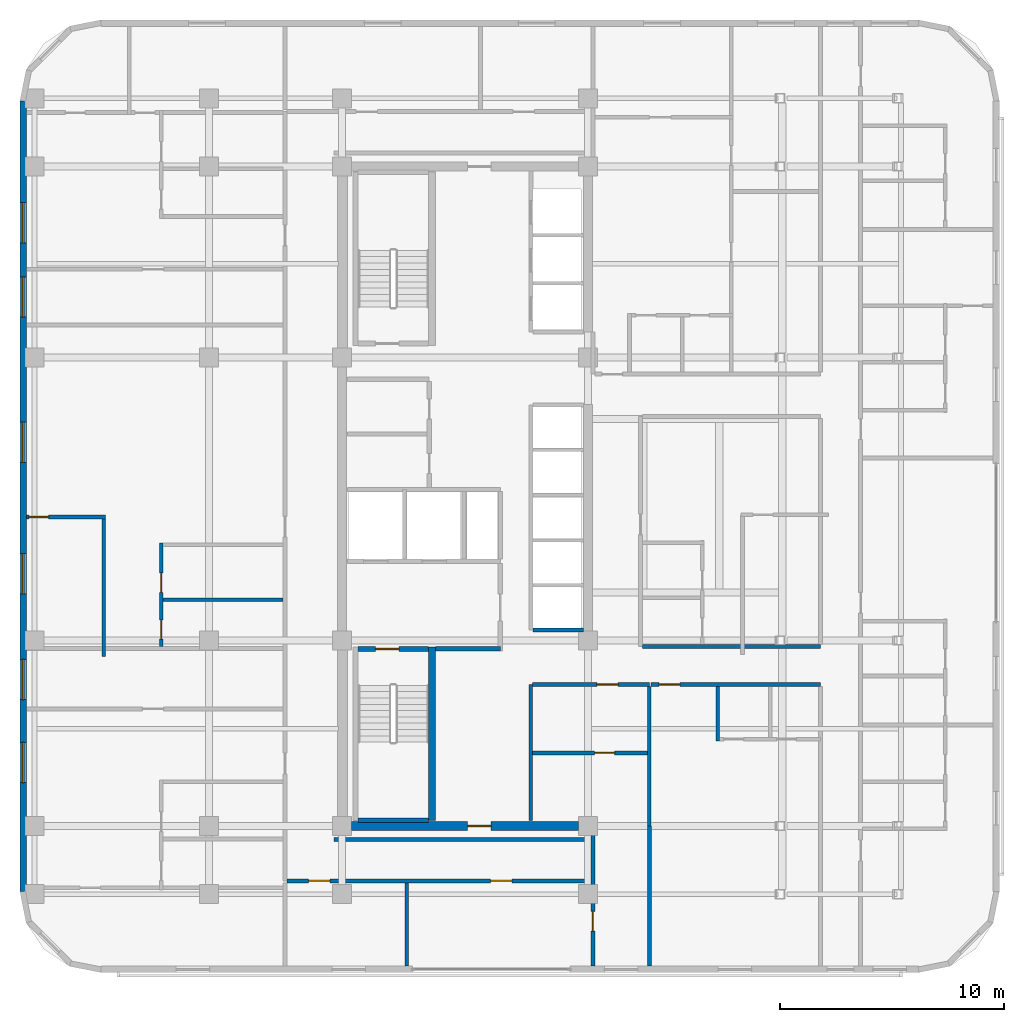
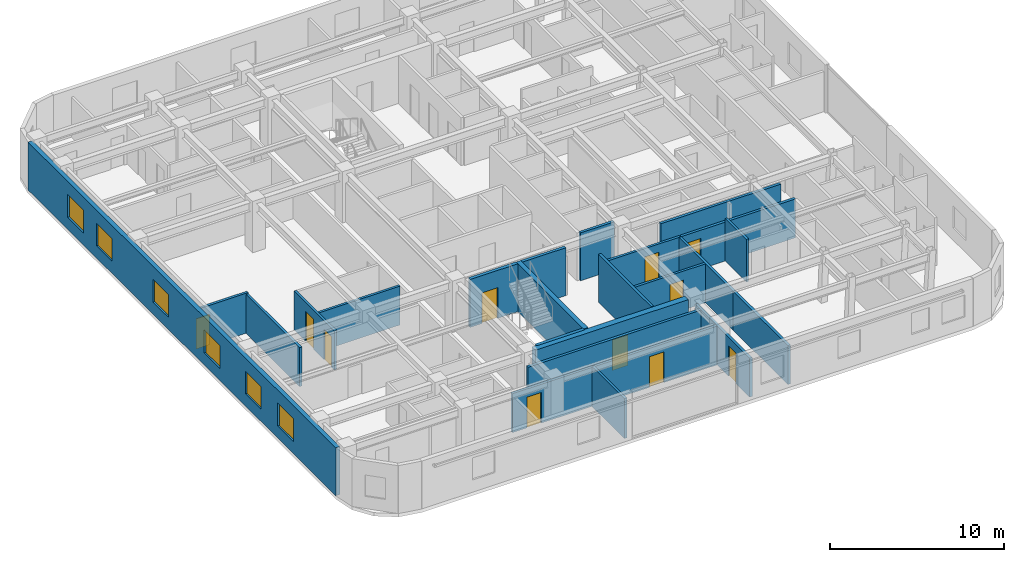
# One storey, part 6 of 14: 23 walls, 11 doors, 6 windows, 17 openings.
"""IFC4 building model written with IfcOpenShell, lengths in metres."""

from ifc_helpers import new_model, si_unit, direction, frame, frame_2d, origin, place, context, subcontext, project, spatial, rectangle, extrude, material, layer, layer_set, type_object, element, fill, save


model = new_model("IFC4")

# Units and contexts
model_context = context("Model", 3, precision=1e-05, world=origin(), true_north=direction((0.0, 1.0)))
body_context = subcontext(model_context, "Body", "Model", "MODEL_VIEW")
ifc_project = project(units=[si_unit("LENGTHUNIT", "METRE"), si_unit("AREAUNIT", "SQUARE_METRE"), si_unit("VOLUMEUNIT", "CUBIC_METRE"), si_unit("PLANEANGLEUNIT", "RADIAN"), si_unit("MASSUNIT", "GRAM", prefix="KILO")], contexts=[model_context])

# Site, building, storey
site_placement = place(None, origin())
site = spatial("IfcSite", under=ifc_project, at=site_placement, CompositionType="ELEMENT")
building_placement = place(site_placement, origin())
building = spatial("IfcBuilding", under=site, at=building_placement, Name="Ochreholt Gables", CompositionType="ELEMENT")
storey_placement = place(building_placement, frame((0.0, 0.0, 109.800048828125)))
storey = spatial("IfcBuildingStorey", under=building, at=storey_placement, Name="L28", CompositionType="ELEMENT", Elevation=109.800048828125)

# Wall, opening, door
ifc_material_1 = material(Name="Concrete 60 MPa", Category="concrete")
ifc_layer_1 = layer(ifc_material_1, 0.39990234375, Name="Concrete 60 MPa")
ifc_layer_set_1 = layer_set([ifc_layer_1], Name="Concrete 60 MPa")
wall_type_1 = type_object("IfcWallType", Name="WALL-CSW-400", PredefinedType="SHEAR", material=ifc_layer_set_1)
wall_1_placement = place(storey_placement, frame((24.625, 9.25, 0.0), z_axis=(0.0, 0.0, 1.0), x_axis=(1.0, 0.0, 0.0)))
wall_1 = element("IfcWall", 1, at=wall_1_placement, inside=storey, type_object=wall_type_1, Name="L28 Core South Shear Wall", PredefinedType="SHEAR", context=body_context, shape_type="SweptSolid", body=[
    extrude(rectangle(XDim=10.14990234375, YDim=0.39990234375, at=frame_2d((5.074951171875, 0.0))), origin(), (0.0, 0.0, 1.0), 3.35986328125),
])
opening_1_placement = place(wall_1_placement, frame((5.199951171875, 0.0, 0.0)))
opening_1 = element("IfcOpeningElement", 2, at=opening_1_placement, cuts=wall_1, Name="Opening D-FLB", PredefinedType="OPENING", context=body_context, shape_type="SweptSolid", body=[
    extrude(rectangle(XDim=1.050048828125, YDim=2.14990234375, at=frame_2d((0.52490234375, 1.074951171875))), frame((0.0, 0.2099609375, 0.0), z_axis=(0.0, -1.0, 0.0), x_axis=(1.0, 0.0, 0.0)), (0.0, 0.0, 1.0), 0.419921875),
])
ifc_material_2 = material(Name="Hollow Metal Steel", Category="steel")
door_type_1 = type_object("IfcDoorType", Name="DR-INT-FLB1050", OperationType="NOTDEFINED", PredefinedType="DOOR", material=ifc_material_2)
door_1_placement = place(opening_1_placement, origin())
door_1 = element("IfcDoor", 3, at=door_1_placement, inside=storey, type_object=door_type_1, Name="L28 Door D-C2CRS-L28", OperationType="SINGLE_SWING_LEFT", OverallHeight=2.14990234375, OverallWidth=1.050048828125, PredefinedType="DOOR", context=body_context, shape_type="SweptSolid", body=[
    extrude(rectangle(XDim=1.050048828125, YDim=2.14990234375, at=frame_2d((0.52490234375, 1.074951171875))), frame((0.0, 0.02490234375, 0.0), z_axis=(0.0, -1.0, 0.0), x_axis=(1.0, 0.0, 0.0)), (0.0, 0.0, 1.0), 0.050048828125),
])
fill(opening_1, door_1)

# Wall, openings, windows
ifc_material_3 = material(Name="Precast concrete 40 MPa", Category="concrete")
ifc_layer_2 = layer(ifc_material_3, 0.280029296875, Name="Precast concrete 40 MPa")
ifc_layer_set_2 = layer_set([ifc_layer_2], Name="Precast concrete 40 MPa")
wall_type_2 = type_object("IfcWallType", Name="WALL-EXT-280", PredefinedType="SOLIDWALL", material=ifc_layer_set_2)
wall_2_placement = place(storey_placement, frame((9.93994140625, 41.679931640625, 0.0), z_axis=(0.0, 0.0, 1.0), x_axis=(0.0, -1.0, 0.0)))
wall_2 = element("IfcWall", 4, at=wall_2_placement, inside=storey, type_object=wall_type_2, Name="L28 West Exterior Wall", PredefinedType="SOLIDWALL", context=body_context, shape_type="SweptSolid", body=[
    extrude(rectangle(XDim=35.35986328125, YDim=0.280029296875, at=frame_2d((17.679931640625, 0.0))), origin(), (0.0, 0.0, 1.0), 3.35986328125),
])
opening_2_placement = place(wall_2_placement, frame((28.691162109375, 0.0, 0.85009765625)))
opening_2 = element("IfcOpeningElement", 5, at=opening_2_placement, cuts=wall_2, Name="Opening WN-1", PredefinedType="OPENING", context=body_context, shape_type="SweptSolid", body=[
    extrude(rectangle(XDim=1.800048828125, YDim=1.60009765625, at=frame_2d((0.89990234375, 0.800048828125))), frame((0.0, 0.14990234375, 0.0), z_axis=(0.0, -1.0, 0.0), x_axis=(1.0, 0.0, 0.0)), (0.0, 0.0, 1.0), 0.300048828125),
])
opening_3_placement = place(wall_2_placement, frame((24.981201171875, 0.0, 0.85009765625)))
opening_3 = element("IfcOpeningElement", 6, at=opening_3_placement, cuts=wall_2, Name="Opening WN-1", PredefinedType="OPENING", context=body_context, shape_type="SweptSolid", body=[
    extrude(rectangle(XDim=1.800048828125, YDim=1.60009765625, at=frame_2d((0.89990234375, 0.800048828125))), frame((0.0, 0.14990234375, 0.0), z_axis=(0.0, -1.0, 0.0), x_axis=(1.0, 0.0, 0.0)), (0.0, 0.0, 1.0), 0.300048828125),
])
opening_4_placement = place(wall_2_placement, frame((20.248046875, 0.0, 0.85009765625)))
opening_4 = element("IfcOpeningElement", 7, at=opening_4_placement, cuts=wall_2, Name="Opening WN-1", PredefinedType="OPENING", context=body_context, shape_type="SweptSolid", body=[
    extrude(rectangle(XDim=1.800048828125, YDim=1.60009765625, at=frame_2d((0.89990234375, 0.800048828125))), frame((0.0, 0.14990234375, 0.0), z_axis=(0.0, -1.0, 0.0), x_axis=(1.0, 0.0, 0.0)), (0.0, 0.0, 1.0), 0.300048828125),
])
opening_5_placement = place(wall_2_placement, frame((14.363037109375, 0.0, 0.85009765625)))
opening_5 = element("IfcOpeningElement", 8, at=opening_5_placement, cuts=wall_2, Name="Opening WN-1", PredefinedType="OPENING", context=body_context, shape_type="SweptSolid", body=[
    extrude(rectangle(XDim=1.800048828125, YDim=1.60009765625, at=frame_2d((0.89990234375, 0.800048828125))), frame((0.0, 0.14990234375, 0.0), z_axis=(0.0, -1.0, 0.0), x_axis=(1.0, 0.0, 0.0)), (0.0, 0.0, 1.0), 0.300048828125),
])
opening_6_placement = place(wall_2_placement, frame((7.866943359375, 0.0, 0.85009765625)))
opening_6 = element("IfcOpeningElement", 9, at=opening_6_placement, cuts=wall_2, Name="Opening WN-1", PredefinedType="OPENING", context=body_context, shape_type="SweptSolid", body=[
    extrude(rectangle(XDim=1.800048828125, YDim=1.60009765625, at=frame_2d((0.89990234375, 0.800048828125))), frame((0.0, 0.14990234375, 0.0), z_axis=(0.0, -1.0, 0.0), x_axis=(1.0, 0.0, 0.0)), (0.0, 0.0, 1.0), 0.300048828125),
])
opening_7_placement = place(wall_2_placement, frame((4.5458984375, 0.0, 0.85009765625)))
opening_7 = element("IfcOpeningElement", 10, at=opening_7_placement, cuts=wall_2, Name="Opening WN-1", PredefinedType="OPENING", context=body_context, shape_type="SweptSolid", body=[
    extrude(rectangle(XDim=1.800048828125, YDim=1.60009765625, at=frame_2d((0.89990234375, 0.800048828125))), frame((0.0, 0.14990234375, 0.0), z_axis=(0.0, -1.0, 0.0), x_axis=(1.0, 0.0, 0.0)), (0.0, 0.0, 1.0), 0.300048828125),
])
ifc_material_4 = material(Name="Triple-Glazed Thermally Broken Aluminium Window", Category="aluminium")
window_type = type_object("IfcWindowType", Name="WIN-RES-1800", PartitioningType="SINGLE_PANEL", PredefinedType="WINDOW", material=ifc_material_4)
window_1_placement = place(opening_2_placement, origin())
window_1 = element("IfcWindow", 11, at=window_1_placement, inside=storey, type_object=window_type, Name="L28 Window W-EXT-W-L28-1", OverallHeight=1.60009765625, OverallWidth=1.800048828125, PartitioningType="SINGLE_PANEL", PredefinedType="WINDOW", context=body_context, shape_type="SweptSolid", body=[
    extrude(rectangle(XDim=1.800048828125, YDim=1.60009765625, at=frame_2d((0.89990234375, 0.800048828125))), frame((0.0, 0.030029296875, 0.0), z_axis=(0.0, -1.0, 0.0), x_axis=(1.0, 0.0, 0.0)), (0.0, 0.0, 1.0), 0.06005859375),
])
fill(opening_2, window_1)
window_2_placement = place(opening_3_placement, origin())
window_2 = element("IfcWindow", 12, at=window_2_placement, inside=storey, type_object=window_type, Name="L28 Window W-EXT-W-L28-2", OverallHeight=1.60009765625, OverallWidth=1.800048828125, PartitioningType="SINGLE_PANEL", PredefinedType="WINDOW", context=body_context, shape_type="SweptSolid", body=[
    extrude(rectangle(XDim=1.800048828125, YDim=1.60009765625, at=frame_2d((0.89990234375, 0.800048828125))), frame((0.0, 0.030029296875, 0.0), z_axis=(0.0, -1.0, 0.0), x_axis=(1.0, 0.0, 0.0)), (0.0, 0.0, 1.0), 0.06005859375),
])
fill(opening_3, window_2)
window_3_placement = place(opening_4_placement, origin())
window_3 = element("IfcWindow", 13, at=window_3_placement, inside=storey, type_object=window_type, Name="L28 Window W-EXT-W-L28-3", OverallHeight=1.60009765625, OverallWidth=1.800048828125, PartitioningType="SINGLE_PANEL", PredefinedType="WINDOW", context=body_context, shape_type="SweptSolid", body=[
    extrude(rectangle(XDim=1.800048828125, YDim=1.60009765625, at=frame_2d((0.89990234375, 0.800048828125))), frame((0.0, 0.030029296875, 0.0), z_axis=(0.0, -1.0, 0.0), x_axis=(1.0, 0.0, 0.0)), (0.0, 0.0, 1.0), 0.06005859375),
])
fill(opening_4, window_3)
window_4_placement = place(opening_5_placement, origin())
window_4 = element("IfcWindow", 14, at=window_4_placement, inside=storey, type_object=window_type, Name="L28 Window W-EXT-W-L28-4", OverallHeight=1.60009765625, OverallWidth=1.800048828125, PartitioningType="SINGLE_PANEL", PredefinedType="WINDOW", context=body_context, shape_type="SweptSolid", body=[
    extrude(rectangle(XDim=1.800048828125, YDim=1.60009765625, at=frame_2d((0.89990234375, 0.800048828125))), frame((0.0, 0.030029296875, 0.0), z_axis=(0.0, -1.0, 0.0), x_axis=(1.0, 0.0, 0.0)), (0.0, 0.0, 1.0), 0.06005859375),
])
fill(opening_5, window_4)
window_5_placement = place(opening_6_placement, origin())
window_5 = element("IfcWindow", 15, at=window_5_placement, inside=storey, type_object=window_type, Name="L28 Window W-EXT-W-L28-5", OverallHeight=1.60009765625, OverallWidth=1.800048828125, PartitioningType="SINGLE_PANEL", PredefinedType="WINDOW", context=body_context, shape_type="SweptSolid", body=[
    extrude(rectangle(XDim=1.800048828125, YDim=1.60009765625, at=frame_2d((0.89990234375, 0.800048828125))), frame((0.0, 0.030029296875, 0.0), z_axis=(0.0, -1.0, 0.0), x_axis=(1.0, 0.0, 0.0)), (0.0, 0.0, 1.0), 0.06005859375),
])
fill(opening_6, window_5)
window_6_placement = place(opening_7_placement, origin())
window_6 = element("IfcWindow", 16, at=window_6_placement, inside=storey, type_object=window_type, Name="L28 Window W-EXT-W-L28-6", OverallHeight=1.60009765625, OverallWidth=1.800048828125, PartitioningType="SINGLE_PANEL", PredefinedType="WINDOW", context=body_context, shape_type="SweptSolid", body=[
    extrude(rectangle(XDim=1.800048828125, YDim=1.60009765625, at=frame_2d((0.89990234375, 0.800048828125))), frame((0.0, 0.030029296875, 0.0), z_axis=(0.0, -1.0, 0.0), x_axis=(1.0, 0.0, 0.0)), (0.0, 0.0, 1.0), 0.06005859375),
])
fill(opening_7, window_6)

# Wall
ifc_material_5 = material(Name="Concrete 40 MPa", Category="concrete")
ifc_layer_3 = layer(ifc_material_5, 0.199951171875, Name="Concrete 40 MPa")
ifc_layer_set_3 = layer_set([ifc_layer_3], Name="Concrete 40 MPa")
wall_type_3 = type_object("IfcWallType", Name="WALL-INT-CF200", PredefinedType="STANDARD", material=ifc_layer_set_3)
wall_3_placement = place(storey_placement, frame((28.3798828125, 17.169921875, 0.0), z_axis=(0.0, 0.0, 1.0), x_axis=(1.0, 0.0, 0.0)))
element("IfcWall", 17, at=wall_3_placement, inside=storey, type_object=wall_type_3, Name="L28 Interior Wall WI-FFS-L28", PredefinedType="STANDARD", context=body_context, shape_type="SweptSolid", body=[
    extrude(rectangle(XDim=2.900146484375, YDim=0.199951171875, at=frame_2d((1.4501953125, 0.0))), origin(), (0.0, 0.0, 1.0), 3.35986328125),
])

# Wall, opening, door
ifc_material_6 = material(Name="Fire-Rated Gypsum Acoustic Partition", Category="gypsum")
ifc_layer_4 = layer(ifc_material_6, 0.179931640625, Name="Fire-Rated Gypsum Acoustic Partition")
ifc_layer_set_4 = layer_set([ifc_layer_4], Name="Fire-Rated Gypsum Acoustic Partition")
wall_type_4 = type_object("IfcWallType", Name="WALL-INT-CR180", PredefinedType="STANDARD", material=ifc_layer_set_4)
wall_4_placement = place(storey_placement, frame((38.032470703125, 15.580078125, 0.0), z_axis=(0.0, 0.0, 1.0), x_axis=(1.0, 0.0, 0.0)))
wall_4 = element("IfcWall", 18, at=wall_4_placement, inside=storey, type_object=wall_type_4, Name="L28 Interior Wall WI-C2SS1-L28", PredefinedType="STANDARD", context=body_context, shape_type="SweptSolid", body=[
    extrude(rectangle(XDim=7.567626953125, YDim=0.179931640625, at=frame_2d((3.78369140625, 0.0))), origin(), (0.0, 0.0, 1.0), 2.73095703125),
])
opening_8_placement = place(wall_4_placement, frame((0.357421875, 0.0, 0.0)))
opening_8 = element("IfcOpeningElement", 19, at=opening_8_placement, cuts=wall_4, Name="Opening D-UN1", PredefinedType="OPENING", context=body_context, shape_type="SweptSolid", body=[
    extrude(rectangle(XDim=0.919921875, YDim=2.14990234375, at=frame_2d((0.4599609375, 1.074951171875))), frame((0.0, 0.099853515625, 0.0), z_axis=(0.0, -1.0, 0.0), x_axis=(1.0, 0.0, 0.0)), (0.0, 0.0, 1.0), 0.199951171875),
])
ifc_material_7 = material(Name="Engineered Oak Timber", Category="wood")
door_type_2 = type_object("IfcDoorType", Name="DR-INT-UNT920", OperationType="NOTDEFINED", PredefinedType="DOOR", material=ifc_material_7)
door_2_placement = place(opening_8_placement, origin())
door_2 = element("IfcDoor", 20, at=door_2_placement, inside=storey, type_object=door_type_2, Name="L28 Door D-U-L28S1-ENT", OperationType="SINGLE_SWING_RIGHT", OverallHeight=2.14990234375, OverallWidth=0.919921875, PredefinedType="DOOR", context=body_context, shape_type="SweptSolid", body=[
    extrude(rectangle(XDim=0.919921875, YDim=2.14990234375, at=frame_2d((0.4599609375, 1.074951171875))), frame((0.0, 0.02490234375, 0.0), z_axis=(0.0, -1.0, 0.0), x_axis=(1.0, 0.0, 0.0)), (0.0, 0.0, 1.0), 0.050048828125),
])
fill(opening_8, door_2)

# Wall
wall_5_placement = place(storey_placement, frame((37.639892578125, 17.280029296875, 0.0), z_axis=(0.0, 0.0, 1.0), x_axis=(1.0, 0.0, 0.0)))
element("IfcWall", 21, at=wall_5_placement, inside=storey, type_object=wall_type_4, Name="L28 Interior Wall WI-C2SS2-L28", PredefinedType="STANDARD", context=body_context, shape_type="SweptSolid", body=[
    extrude(rectangle(XDim=7.960205078125, YDim=0.179931640625, at=frame_2d((3.97998046875, 0.0))), origin(), (0.0, 0.0, 1.0), 2.73095703125),
])

# Wall, openings, doors
wall_6_placement = place(storey_placement, frame((21.739990234375, 6.800048828125, 0.0), z_axis=(0.0, 0.0, 1.0), x_axis=(1.0, 0.0, 0.0)))
wall_6 = element("IfcWall", 22, at=wall_6_placement, inside=storey, type_object=wall_type_4, Name="L28 Interior Wall WI-C2WCS-L28", PredefinedType="STANDARD", context=body_context, shape_type="SweptSolid", body=[
    extrude(rectangle(XDim=13.679931640625, YDim=0.179931640625, at=frame_2d((6.83984375, 0.0))), origin(), (0.0, 0.0, 1.0), 2.73095703125),
])
opening_9_placement = place(wall_6_placement, frame((0.969970703125, 0.0, 0.0)))
opening_9 = element("IfcOpeningElement", 23, at=opening_9_placement, cuts=wall_6, Name="Opening D-GN1", PredefinedType="OPENING", context=body_context, shape_type="SweptSolid", body=[
    extrude(rectangle(XDim=0.949951171875, YDim=2.14990234375, at=frame_2d((0.47509765625, 1.074951171875))), frame((0.0, 0.099853515625, 0.0), z_axis=(0.0, -1.0, 0.0), x_axis=(1.0, 0.0, 0.0)), (0.0, 0.0, 1.0), 0.199951171875),
])
opening_10_placement = place(wall_6_placement, frame((9.110107421875, 0.0, 0.0)))
opening_10 = element("IfcOpeningElement", 24, at=opening_10_placement, cuts=wall_6, Name="Opening D-GN1", PredefinedType="OPENING", context=body_context, shape_type="SweptSolid", body=[
    extrude(rectangle(XDim=0.949951171875, YDim=2.14990234375, at=frame_2d((0.47509765625, 1.074951171875))), frame((0.0, 0.099853515625, 0.0), z_axis=(0.0, -1.0, 0.0), x_axis=(1.0, 0.0, 0.0)), (0.0, 0.0, 1.0), 0.199951171875),
])
door_type_3 = type_object("IfcDoorType", Name="DR-INT-GEN950", OperationType="NOTDEFINED", PredefinedType="DOOR", material=ifc_material_7)
door_3_placement = place(opening_9_placement, origin())
door_3 = element("IfcDoor", 25, at=door_3_placement, inside=storey, type_object=door_type_3, Name="L28 Door D-C2STL1-L28", OperationType="SINGLE_SWING_LEFT", OverallHeight=2.14990234375, OverallWidth=0.949951171875, PredefinedType="DOOR", context=body_context, shape_type="SweptSolid", body=[
    extrude(rectangle(XDim=0.949951171875, YDim=2.14990234375, at=frame_2d((0.47509765625, 1.074951171875))), frame((0.0, 0.02490234375, 0.0), z_axis=(0.0, -1.0, 0.0), x_axis=(1.0, 0.0, 0.0)), (0.0, 0.0, 1.0), 0.050048828125),
])
fill(opening_9, door_3)
door_4_placement = place(opening_10_placement, origin())
door_4 = element("IfcDoor", 26, at=door_4_placement, inside=storey, type_object=door_type_3, Name="L28 Door D-C2STL2-L28", OperationType="SINGLE_SWING_RIGHT", OverallHeight=2.14990234375, OverallWidth=0.949951171875, PredefinedType="DOOR", context=body_context, shape_type="SweptSolid", body=[
    extrude(rectangle(XDim=0.949951171875, YDim=2.14990234375, at=frame_2d((0.47509765625, 1.074951171875))), frame((0.0, 0.02490234375, 0.0), z_axis=(0.0, -1.0, 0.0), x_axis=(1.0, 0.0, 0.0)), (0.0, 0.0, 1.0), 0.050048828125),
])
fill(opening_10, door_4)

# Wall
wall_7_placement = place(storey_placement, frame((23.85009765625, 8.64990234375, 0.0), z_axis=(0.0, 0.0, 1.0), x_axis=(1.0, 0.0, 0.0)))
element("IfcWall", 27, at=wall_7_placement, inside=storey, type_object=wall_type_4, Name="L28 Interior Wall WI-C2WCS2-L28", PredefinedType="STANDARD", context=body_context, shape_type="SweptSolid", body=[
    extrude(rectangle(XDim=11.56982421875, YDim=0.179931640625, at=frame_2d((5.784912109375, 0.0))), origin(), (0.0, 0.0, 1.0), 2.73095703125),
])

# Wall, opening, door
ifc_material_8 = material(Name="Double-Stud Acoustic Demising Wall", Category="gypsum")
ifc_layer_5 = layer(ifc_material_8, 0.179931640625, Name="Double-Stud Acoustic Demising Wall")
ifc_layer_set_5 = layer_set([ifc_layer_5], Name="Double-Stud Acoustic Demising Wall")
wall_type_5 = type_object("IfcWallType", Name="WALL-INT-DM180", PredefinedType="PARTITIONING", material=ifc_layer_set_5)
wall_8_placement = place(storey_placement, frame((35.419921875, 2.97998046875, 0.0), z_axis=(0.0, 0.0, 1.0), x_axis=(0.0, 1.0, 0.0)))
wall_8 = element("IfcWall", 28, at=wall_8_placement, inside=storey, type_object=wall_type_5, Name="L28 Interior Wall WI-C2SES-L28", PredefinedType="PARTITIONING", context=body_context, shape_type="SweptSolid", body=[
    extrude(rectangle(XDim=6.27001953125, YDim=0.179931640625, at=frame_2d((3.135009765625, 0.0))), origin(), (0.0, 0.0, 1.0), 2.73095703125),
])
opening_11_placement = place(wall_8_placement, frame((1.570068359375, 0.0, 0.0)))
opening_11 = element("IfcOpeningElement", 29, at=opening_11_placement, cuts=wall_8, Name="Opening D-GN2", PredefinedType="OPENING", context=body_context, shape_type="SweptSolid", body=[
    extrude(rectangle(XDim=0.8798828125, YDim=2.1201171875, at=frame_2d((0.43994140625, 1.06005859375))), frame((0.0, 0.099853515625, 0.0), z_axis=(0.0, -1.0, 0.0), x_axis=(1.0, 0.0, 0.0)), (0.0, 0.0, 1.0), 0.199951171875),
])
door_type_4 = type_object("IfcDoorType", Name="DR-INT-GEN880", OperationType="NOTDEFINED", PredefinedType="DOOR", material=ifc_material_7)
door_5_placement = place(opening_11_placement, origin())
door_5 = element("IfcDoor", 30, at=door_5_placement, inside=storey, type_object=door_type_4, Name="L28 Door D-C2SPS-L28", OperationType="SINGLE_SWING_LEFT", OverallHeight=2.1201171875, OverallWidth=0.8798828125, PredefinedType="DOOR", context=body_context, shape_type="SweptSolid", body=[
    extrude(rectangle(XDim=0.8798828125, YDim=2.1201171875, at=frame_2d((0.43994140625, 1.06005859375))), frame((0.0, 0.02490234375, 0.0), z_axis=(0.0, -1.0, 0.0), x_axis=(1.0, 0.0, 0.0)), (0.0, 0.0, 1.0), 0.050048828125),
])
fill(opening_11, door_5)

# Walls
wall_9_placement = place(storey_placement, frame((37.949951171875, 2.97998046875, 0.0), z_axis=(0.0, 0.0, 1.0), x_axis=(0.0, 1.0, 0.0)))
element("IfcWall", 31, at=wall_9_placement, inside=storey, type_object=wall_type_5, Name="L28 Interior Wall WI-C2SEW2-L28", PredefinedType="PARTITIONING", context=body_context, shape_type="SweptSolid", body=[
    extrude(rectangle(XDim=6.27001953125, YDim=0.179931640625, at=frame_2d((3.135009765625, 0.0))), origin(), (0.0, 0.0, 1.0), 2.73095703125),
])
ifc_material_9 = material(Name="Moisture-Resistant Plumbing Chase Wall", Category="gypsum")
ifc_layer_6 = layer(ifc_material_9, 0.159912109375, Name="Moisture-Resistant Plumbing Chase Wall")
ifc_layer_set_6 = layer_set([ifc_layer_6], Name="Moisture-Resistant Plumbing Chase Wall")
wall_type_6 = type_object("IfcWallType", Name="WALL-INT-PL160", PredefinedType="PLUMBINGWALL", material=ifc_layer_set_6)
wall_10_placement = place(storey_placement, frame((41.010009765625, 13.06005859375, 0.0), z_axis=(0.0, 0.0, 1.0), x_axis=(0.0, 1.0, 0.0)))
element("IfcWall", 32, at=wall_10_placement, inside=storey, type_object=wall_type_6, Name="L28 Interior Wall WU-L28S1-FY", PredefinedType="PLUMBINGWALL", context=body_context, shape_type="SweptSolid", body=[
    extrude(rectangle(XDim=2.429931640625, YDim=0.159912109375, at=frame_2d((1.21484375, 0.0))), origin(), (0.0, 0.0, 1.0), 2.988037109375),
])

# Wall, openings, doors
wall_11_placement = place(storey_placement, frame((16.110107421875, 17.27392578125, 0.0), z_axis=(0.0, 0.0, 1.0), x_axis=(0.0, 1.0, 0.0)))
wall_11 = element("IfcWall", 33, at=wall_11_placement, inside=storey, type_object=wall_type_6, Name="L28 Interior Wall WU-L28W2-WX", PredefinedType="PLUMBINGWALL", context=body_context, shape_type="SweptSolid", body=[
    extrude(rectangle(XDim=4.64013671875, YDim=0.159912109375, at=frame_2d((2.320068359375, 0.0))), origin(), (0.0, 0.0, 1.0), 2.73095703125),
])
opening_12_placement = place(wall_11_placement, frame((0.330078125, 0.0, 0.0)))
opening_12 = element("IfcOpeningElement", 34, at=opening_12_placement, cuts=wall_11, Name="Opening D-BT1", PredefinedType="OPENING", context=body_context, shape_type="SweptSolid", body=[
    extrude(rectangle(XDim=0.860107421875, YDim=2.1201171875, at=frame_2d((0.43017578125, 1.06005859375))), frame((0.0, 0.08984375, 0.0), z_axis=(0.0, -1.0, 0.0), x_axis=(1.0, 0.0, 0.0)), (0.0, 0.0, 1.0), 0.179931640625),
])
opening_13_placement = place(wall_11_placement, frame((2.423095703125, 0.0, 0.0)))
opening_13 = element("IfcOpeningElement", 35, at=opening_13_placement, cuts=wall_11, Name="Opening D-GN2", PredefinedType="OPENING", context=body_context, shape_type="SweptSolid", body=[
    extrude(rectangle(XDim=0.8798828125, YDim=2.1201171875, at=frame_2d((0.43994140625, 1.06005859375))), frame((0.0, 0.08984375, 0.0), z_axis=(0.0, -1.0, 0.0), x_axis=(1.0, 0.0, 0.0)), (0.0, 0.0, 1.0), 0.179931640625),
])
door_type_5 = type_object("IfcDoorType", Name="DR-INT-BTH860", OperationType="NOTDEFINED", PredefinedType="DOOR", material=ifc_material_7)
door_6_placement = place(opening_12_placement, origin())
door_6 = element("IfcDoor", 36, at=door_6_placement, inside=storey, type_object=door_type_5, Name="L28 Door D-U-L28W2-BTH", OperationType="SINGLE_SWING_LEFT", OverallHeight=2.1201171875, OverallWidth=0.860107421875, PredefinedType="DOOR", context=body_context, shape_type="SweptSolid", body=[
    extrude(rectangle(XDim=0.860107421875, YDim=2.1201171875, at=frame_2d((0.43017578125, 1.06005859375))), frame((0.0, 0.02490234375, 0.0), z_axis=(0.0, -1.0, 0.0), x_axis=(1.0, 0.0, 0.0)), (0.0, 0.0, 1.0), 0.050048828125),
])
fill(opening_12, door_6)
door_7_placement = place(opening_13_placement, origin())
door_7 = element("IfcDoor", 37, at=door_7_placement, inside=storey, type_object=door_type_4, Name="L28 Door D-U-L28W2-KIT", OperationType="SINGLE_SWING_RIGHT", OverallHeight=2.1201171875, OverallWidth=0.8798828125, PredefinedType="DOOR", context=body_context, shape_type="SweptSolid", body=[
    extrude(rectangle(XDim=0.8798828125, YDim=2.1201171875, at=frame_2d((0.43994140625, 1.06005859375))), frame((0.0, 0.02490234375, 0.0), z_axis=(0.0, -1.0, 0.0), x_axis=(1.0, 0.0, 0.0)), (0.0, 0.0, 1.0), 0.050048828125),
])
fill(opening_13, door_7)

# Walls
wall_12_placement = place(storey_placement, frame((16.18994140625, 19.366943359375, 0.0), z_axis=(0.0, 0.0, 1.0), x_axis=(1.0, 0.0, 0.0)))
element("IfcWall", 38, at=wall_12_placement, inside=storey, type_object=wall_type_6, Name="L28 Interior Wall WU-L28W2-WM", PredefinedType="PLUMBINGWALL", context=body_context, shape_type="SweptSolid", body=[
    extrude(rectangle(XDim=5.3701171875, YDim=0.159912109375, at=frame_2d((2.68505859375, 0.0))), origin(), (0.0, 0.0, 1.0), 2.73095703125),
])
ifc_material_10 = material(Name="Gypsum Acoustic Stud Partition", Category="gypsum")
ifc_layer_7 = layer(ifc_material_10, 0.1650390625, Name="Gypsum Acoustic Stud Partition")
ifc_layer_set_7 = layer_set([ifc_layer_7], Name="Gypsum Acoustic Stud Partition")
wall_type_7 = type_object("IfcWallType", Name="WALL-INT-PT165", PredefinedType="PARTITIONING", material=ifc_layer_set_7)
wall_13_placement = place(storey_placement, frame((32.64990234375, 9.5, 0.0), z_axis=(0.0, 0.0, 1.0), x_axis=(0.0, 1.0, 0.0)))
element("IfcWall", 39, at=wall_13_placement, inside=storey, type_object=wall_type_7, Name="L28 Interior Wall WI-RCL-W-L28", PredefinedType="PARTITIONING", context=body_context, shape_type="SweptSolid", body=[
    extrude(rectangle(XDim=6.080078125, YDim=0.1650390625, at=frame_2d((3.0400390625, 0.0))), origin(), (0.0, 0.0, 1.0), 3.35986328125),
])

# Wall, opening, door
wall_14_placement = place(storey_placement, frame((32.732421875, 15.580078125, 0.0), z_axis=(0.0, 0.0, 1.0), x_axis=(1.0, 0.0, 0.0)))
wall_14 = element("IfcWall", 40, at=wall_14_placement, inside=storey, type_object=wall_type_7, Name="L28 Interior Wall WI-RCL-N-L28", PredefinedType="PARTITIONING", context=body_context, shape_type="SweptSolid", body=[
    extrude(rectangle(XDim=5.217529296875, YDim=0.1650390625, at=frame_2d((2.60888671875, 0.0))), origin(), (0.0, 0.0, 1.0), 2.73095703125),
])
opening_14_placement = place(wall_14_placement, frame((2.867431640625, 0.0, 0.0)))
opening_14 = element("IfcOpeningElement", 41, at=opening_14_placement, cuts=wall_14, Name="Opening D-GN1", PredefinedType="OPENING", context=body_context, shape_type="SweptSolid", body=[
    extrude(rectangle(XDim=0.949951171875, YDim=2.14990234375, at=frame_2d((0.47509765625, 1.074951171875))), frame((0.0, 0.092529296875, 0.0), z_axis=(0.0, -1.0, 0.0), x_axis=(1.0, 0.0, 0.0)), (0.0, 0.0, 1.0), 0.18505859375),
])
door_8_placement = place(opening_14_placement, origin())
door_8 = element("IfcDoor", 42, at=door_8_placement, inside=storey, type_object=door_type_3, Name="L28 Door D-RCL-L28", OperationType="SINGLE_SWING_LEFT", OverallHeight=2.14990234375, OverallWidth=0.949951171875, PredefinedType="DOOR", context=body_context, shape_type="SweptSolid", body=[
    extrude(rectangle(XDim=0.949951171875, YDim=2.14990234375, at=frame_2d((0.47509765625, 1.074951171875))), frame((0.0, 0.02490234375, 0.0), z_axis=(0.0, -1.0, 0.0), x_axis=(1.0, 0.0, 0.0)), (0.0, 0.0, 1.0), 0.050048828125),
])
fill(opening_14, door_8)

# Wall
wall_15_placement = place(storey_placement, frame((37.949951171875, 9.25, 0.0), z_axis=(0.0, 0.0, 1.0), x_axis=(0.0, 1.0, 0.0)))
element("IfcWall", 43, at=wall_15_placement, inside=storey, type_object=wall_type_7, Name="L28 Interior Wall WI-RCL-E-L28", PredefinedType="PARTITIONING", context=body_context, shape_type="SweptSolid", body=[
    extrude(rectangle(XDim=6.24755859375, YDim=0.1650390625, at=frame_2d((3.123779296875, 0.0))), origin(), (0.0, 0.0, 1.0), 2.73095703125),
])

# Wall, opening, door
wall_16_placement = place(storey_placement, frame((32.732421875, 12.52001953125, 0.0), z_axis=(0.0, 0.0, 1.0), x_axis=(1.0, 0.0, 0.0)))
wall_16 = element("IfcWall", 44, at=wall_16_placement, inside=storey, type_object=wall_type_7, Name="L28 Interior Wall WI-RCL-DV-L28", PredefinedType="PARTITIONING", context=body_context, shape_type="SweptSolid", body=[
    extrude(rectangle(XDim=5.135009765625, YDim=0.1650390625, at=frame_2d((2.5673828125, 0.0))), origin(), (0.0, 0.0, 1.0), 2.73095703125),
])
opening_15_placement = place(wall_16_placement, frame((2.767578125, 0.0, 0.0)))
opening_15 = element("IfcOpeningElement", 45, at=opening_15_placement, cuts=wall_16, Name="Opening D-SV1", PredefinedType="OPENING", context=body_context, shape_type="SweptSolid", body=[
    extrude(rectangle(XDim=0.89990234375, YDim=2.10009765625, at=frame_2d((0.449951171875, 1.050048828125))), frame((0.0, 0.092529296875, 0.0), z_axis=(0.0, -1.0, 0.0), x_axis=(1.0, 0.0, 0.0)), (0.0, 0.0, 1.0), 0.18505859375),
])
door_type_6 = type_object("IfcDoorType", Name="DR-INT-SRV900", OperationType="NOTDEFINED", PredefinedType="DOOR", material=ifc_material_2)
door_9_placement = place(opening_15_placement, origin())
door_9 = element("IfcDoor", 46, at=door_9_placement, inside=storey, type_object=door_type_6, Name="L28 Door D-RCLI-L28", OperationType="SINGLE_SWING_RIGHT", OverallHeight=2.10009765625, OverallWidth=0.89990234375, PredefinedType="DOOR", context=body_context, shape_type="SweptSolid", body=[
    extrude(rectangle(XDim=0.89990234375, YDim=2.10009765625, at=frame_2d((0.449951171875, 1.050048828125))), frame((0.0, 0.02490234375, 0.0), z_axis=(0.0, -1.0, 0.0), x_axis=(1.0, 0.0, 0.0)), (0.0, 0.0, 1.0), 0.050048828125),
])
fill(opening_15, door_9)

# Wall
wall_17_placement = place(storey_placement, frame((13.550048828125, 16.823974609375, 0.0), z_axis=(0.0, 0.0, 1.0), x_axis=(0.0, 1.0, 0.0)))
element("IfcWall", 47, at=wall_17_placement, inside=storey, type_object=wall_type_7, Name="L28 Interior Wall WU-L28W2-STW", PredefinedType="PARTITIONING", context=body_context, shape_type="SweptSolid", body=[
    extrude(rectangle(XDim=6.25, YDim=0.1650390625, at=frame_2d((3.125, 0.0))), origin(), (0.0, 0.0, 1.0), 2.73095703125),
])

# Wall, opening, door
wall_18_placement = place(storey_placement, frame((10.080078125, 23.073974609375, 0.0), z_axis=(0.0, 0.0, 1.0), x_axis=(1.0, 0.0, 0.0)))
wall_18 = element("IfcWall", 48, at=wall_18_placement, inside=storey, type_object=wall_type_7, Name="L28 Interior Wall WU-L28W2-STN", PredefinedType="PARTITIONING", context=body_context, shape_type="SweptSolid", body=[
    extrude(rectangle(XDim=3.5498046875, YDim=0.1650390625, at=frame_2d((1.77490234375, 0.0))), origin(), (0.0, 0.0, 1.0), 2.808837890625),
])
opening_16_placement = place(wall_18_placement, frame((0.1201171875, 0.0, 0.0)))
opening_16 = element("IfcOpeningElement", 49, at=opening_16_placement, cuts=wall_18, Name="Opening D-GN2", PredefinedType="OPENING", context=body_context, shape_type="SweptSolid", body=[
    extrude(rectangle(XDim=0.8798828125, YDim=2.1201171875, at=frame_2d((0.43994140625, 1.06005859375))), frame((0.0, 0.092529296875, 0.0), z_axis=(0.0, -1.0, 0.0), x_axis=(1.0, 0.0, 0.0)), (0.0, 0.0, 1.0), 0.18505859375),
])
door_10_placement = place(opening_16_placement, origin())
door_10 = element("IfcDoor", 50, at=door_10_placement, inside=storey, type_object=door_type_4, Name="L28 Door D-U-L28W2-STD", OperationType="SINGLE_SWING_LEFT", OverallHeight=2.1201171875, OverallWidth=0.8798828125, PredefinedType="DOOR", context=body_context, shape_type="SweptSolid", body=[
    extrude(rectangle(XDim=0.8798828125, YDim=2.1201171875, at=frame_2d((0.43994140625, 1.06005859375))), frame((0.0, 0.02490234375, 0.0), z_axis=(0.0, -1.0, 0.0), x_axis=(1.0, 0.0, 0.0)), (0.0, 0.0, 1.0), 0.050048828125),
])
fill(opening_16, door_10)

# Walls
wall_19_placement = place(storey_placement, frame((27.10009765625, 2.97998046875, 0.0), z_axis=(0.0, 0.0, 1.0), x_axis=(0.0, 1.0, 0.0)))
element("IfcWall", 51, at=wall_19_placement, inside=storey, type_object=wall_type_7, Name="L28 Interior Wall WI-C2PKS-L28", PredefinedType="PARTITIONING", context=body_context, shape_type="SweptSolid", body=[
    extrude(rectangle(XDim=3.72998046875, YDim=0.1650390625, at=frame_2d((1.864990234375, 0.0))), origin(), (0.0, 0.0, 1.0), 2.808837890625),
])
ifc_material_11 = material(Name="Gypsum Shaftliner and Steel Stud", Category="steel")
ifc_layer_8 = layer(ifc_material_11, 0.179931640625, Name="Gypsum Shaftliner and Steel Stud")
ifc_layer_set_8 = layer_set([ifc_layer_8], Name="Gypsum Shaftliner and Steel Stud")
wall_type_8 = type_object("IfcWallType", Name="WALL-INT-SH180", PredefinedType="STANDARD", material=ifc_layer_set_8)
wall_20_placement = place(storey_placement, frame((32.739990234375, 18.02001953125, 0.0), z_axis=(0.0, 0.0, 1.0), x_axis=(1.0, 0.0, 0.0)))
element("IfcWall", 52, at=wall_20_placement, inside=storey, type_object=wall_type_8, Name="L28 Interior Wall WI-LFHE-S-L28", PredefinedType="STANDARD", context=body_context, shape_type="SweptSolid", body=[
    extrude(rectangle(XDim=2.260009765625, YDim=0.179931640625, at=frame_2d((1.1298828125, 0.0))), origin(), (0.0, 0.0, 1.0), 3.35986328125),
])
ifc_layer_9 = layer(ifc_material_1, 0.300048828125, Name="Concrete 60 MPa")
ifc_layer_set_9 = layer_set([ifc_layer_9], Name="Concrete 60 MPa")
wall_type_9 = type_object("IfcWallType", Name="WALL-SPN-300", PredefinedType="SHEAR", material=ifc_layer_set_9)
wall_21_placement = place(storey_placement, frame((28.22998046875, 9.5, 0.0), z_axis=(0.0, 0.0, 1.0), x_axis=(0.0, 1.0, 0.0)))
element("IfcWall", 53, at=wall_21_placement, inside=storey, type_object=wall_type_9, Name="L28 Core South Spine Shear Wall", PredefinedType="SHEAR", context=body_context, shape_type="SweptSolid", body=[
    extrude(rectangle(XDim=7.760009765625, YDim=0.300048828125, at=frame_2d((3.8798828125, 0.0))), origin(), (0.0, 0.0, 1.0), 3.35986328125),
])
ifc_material_12 = material(Name="Concrete 50 MPa", Category="concrete")
ifc_layer_10 = layer(ifc_material_12, 0.219970703125, Name="Concrete 50 MPa")
ifc_layer_set_10 = layer_set([ifc_layer_10], Name="Concrete 50 MPa")
wall_type_10 = type_object("IfcWallType", Name="WALL-STW-220", PredefinedType="SHEAR", material=ifc_layer_set_10)
wall_22_placement = place(storey_placement, frame((24.919921875, 9.510009765625, 0.0), z_axis=(0.0, 0.0, 1.0), x_axis=(1.0, 0.0, 0.0)))
element("IfcWall", 54, at=wall_22_placement, inside=storey, type_object=wall_type_10, Name="L28 Exit Stair 1 South Wall", PredefinedType="SHEAR", context=body_context, shape_type="SweptSolid", body=[
    extrude(rectangle(XDim=3.16015625, YDim=0.219970703125, at=frame_2d((1.580078125, 0.0))), origin(), (0.0, 0.0, 1.0), 3.35986328125),
])

# Wall, opening, door
wall_23_placement = place(storey_placement, frame((24.919921875, 17.169921875, 0.0), z_axis=(0.0, 0.0, 1.0), x_axis=(1.0, 0.0, 0.0)))
wall_23 = element("IfcWall", 55, at=wall_23_placement, inside=storey, type_object=wall_type_10, Name="L28 Exit Stair 1 North Wall", PredefinedType="SHEAR", context=body_context, shape_type="SweptSolid", body=[
    extrude(rectangle(XDim=3.16015625, YDim=0.219970703125, at=frame_2d((1.580078125, 0.0))), origin(), (0.0, 0.0, 1.0), 3.35986328125),
])
opening_17_placement = place(wall_23_placement, frame((0.780029296875, 0.0, 0.0)))
opening_17 = element("IfcOpeningElement", 56, at=opening_17_placement, cuts=wall_23, Name="Opening D-STC", PredefinedType="OPENING", context=body_context, shape_type="SweptSolid", body=[
    extrude(rectangle(XDim=1.050048828125, YDim=2.14990234375, at=frame_2d((0.52490234375, 1.074951171875))), frame((0.0, 0.119873046875, 0.0), z_axis=(0.0, -1.0, 0.0), x_axis=(1.0, 0.0, 0.0)), (0.0, 0.0, 1.0), 0.239990234375),
])
door_type_7 = type_object("IfcDoorType", Name="DR-INT-ST1050", OperationType="NOTDEFINED", PredefinedType="DOOR", material=ifc_material_2)
door_11_placement = place(opening_17_placement, frame((1.050048828125, 0.0, 0.0), z_axis=(0.0, 0.0, 1.0), x_axis=(-1.0, 0.0, 0.0)))
door_11 = element("IfcDoor", 57, at=door_11_placement, inside=storey, type_object=door_type_7, Name="L28 Door D-ST1-L28", OperationType="SINGLE_SWING_LEFT", OverallHeight=2.14990234375, OverallWidth=1.050048828125, PredefinedType="DOOR", context=body_context, shape_type="SweptSolid", body=[
    extrude(rectangle(XDim=1.050048828125, YDim=2.14990234375, at=frame_2d((0.52490234375, 1.074951171875))), frame((0.0, 0.02490234375, 0.0), z_axis=(0.0, -1.0, 0.0), x_axis=(1.0, 0.0, 0.0)), (0.0, 0.0, 1.0), 0.050048828125),
])
fill(opening_17, door_11)

save(model, "model.ifc")
